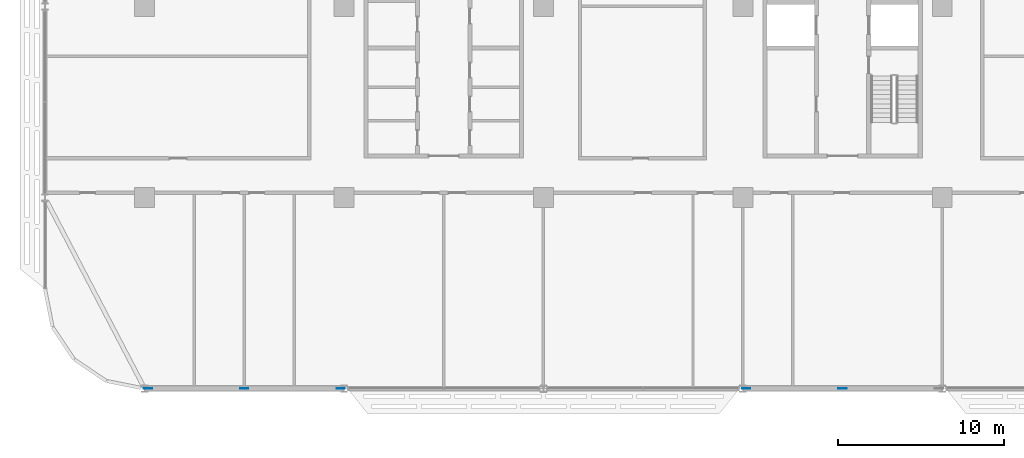
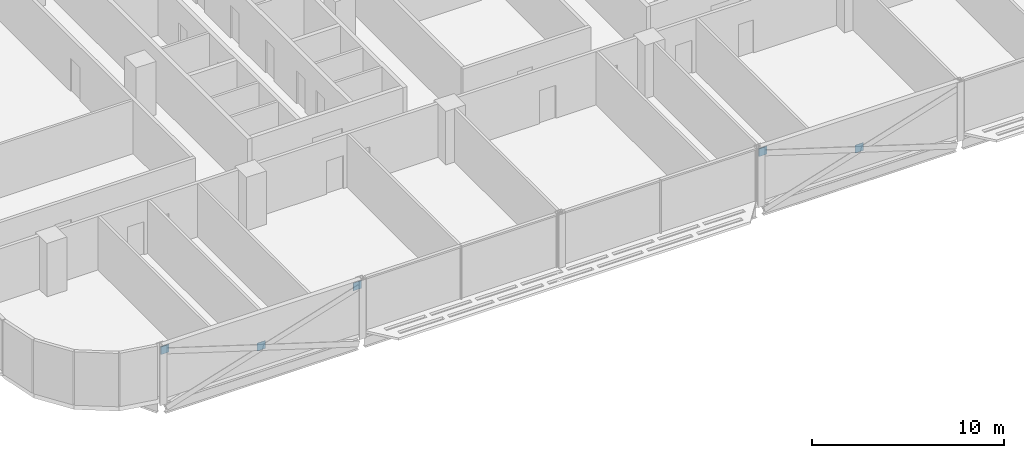
# One storey, part 18 of 28: 5 discrete accessories.
"""IFC4 building model written with IfcOpenShell, lengths in metres."""

from ifc_helpers import new_model, si_unit, direction, frame, origin, origin_2d, place, context, subcontext, project, spatial, rectangle, extrude, material, layer, layer_set, type_object, element, save


model = new_model("IFC4")

# Units and contexts
model_context = context("Model", 3, precision=1e-05, world=origin(), true_north=direction((0.0, 1.0)))
body_context = subcontext(model_context, "Body", "Model", "MODEL_VIEW")
ifc_project = project(units=[si_unit("LENGTHUNIT", "METRE"), si_unit("AREAUNIT", "SQUARE_METRE"), si_unit("VOLUMEUNIT", "CUBIC_METRE"), si_unit("PLANEANGLEUNIT", "RADIAN"), si_unit("MASSUNIT", "GRAM", prefix="KILO")], contexts=[model_context])

# Site, building, storey
site_placement = place(None, origin())
site = spatial("IfcSite", under=ifc_project, at=site_placement, CompositionType="ELEMENT")
building_placement = place(site_placement, origin())
building = spatial("IfcBuilding", under=site, at=building_placement, Name="Mahtab Terrace Research Tower", CompositionType="ELEMENT")
storey_placement = place(building_placement, frame((0.0, 0.0, 185.800048828125)))
storey = spatial("IfcBuildingStorey", under=building, at=storey_placement, Name="L44", CompositionType="ELEMENT", Elevation=185.800048828125)

# Discrete accessories
ifc_material = material(Name="Steel ASTM A992 Gr 50", Category="steel")
ifc_layer = layer(ifc_material, 0.030029296875)
ifc_layer_set = layer_set([ifc_layer], Name="Gusset plate 500x500x30")
discrete_accessory_type = type_object("IfcDiscreteAccessoryType", Name="Gusset plate 500x500x30", PredefinedType="USERDEFINED", material=ifc_layer_set)
for number, where, z_axis, x_axis, name in (
    (1, (-41.796875, -23.0, 2.74755859375), (0.0, 0.0, 1.0), (1.0, 0.0, 0.0), "Gusset plate"),
    (2, (-36.0, -23.0, 0.94091796875), (0.0, 0.0, 1.0), (1.0, 0.0, 0.0), "Gusset plate"),
    (3, (-30.203125, -23.0, 2.74755859375), (0.0, 0.0, 1.0), (1.0, 0.0, 0.0), "Gusset plate"),
    (4, (-5.796875, -23.0, 2.74755859375), (0.0, 0.0, 1.0), (1.0, 0.0, 0.0), "Gusset plate"),
    (5, (0.0, -23.0, 0.94091796875), (0.0, 0.0, 1.0), (1.0, 0.0, 0.0), "Gusset plate"),
):
    element("IfcDiscreteAccessory", number, at=place(storey_placement, frame(where, z_axis=z_axis, x_axis=x_axis)), inside=storey, type_object=discrete_accessory_type, Name=name, ObjectType="GUSSET PLATE", PredefinedType="USERDEFINED", context=body_context, shape_type="SweptSolid", body=[
        extrude(rectangle(XDim=0.5, YDim=0.030029296875, at=origin_2d()), origin(), (0.0, 0.0, 1.0), 0.5),
    ])

save(model, "model.ifc")
